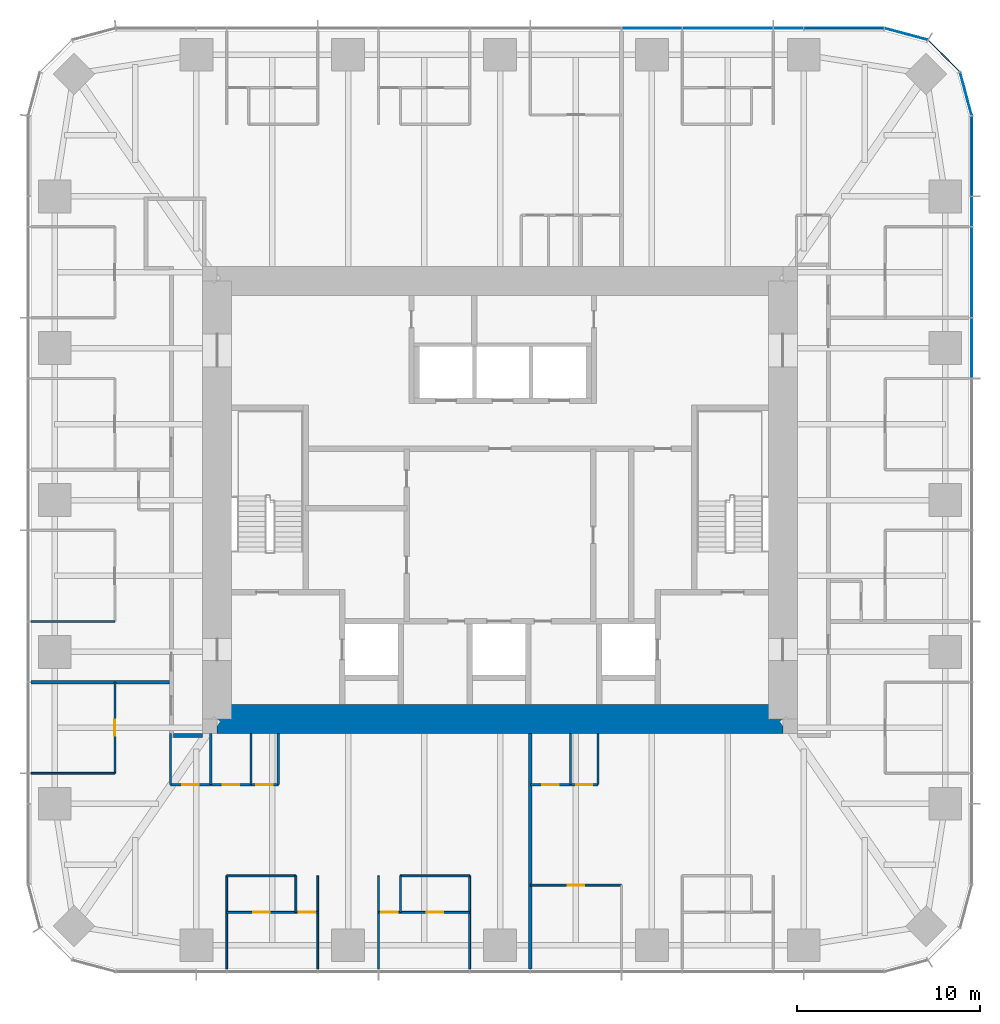
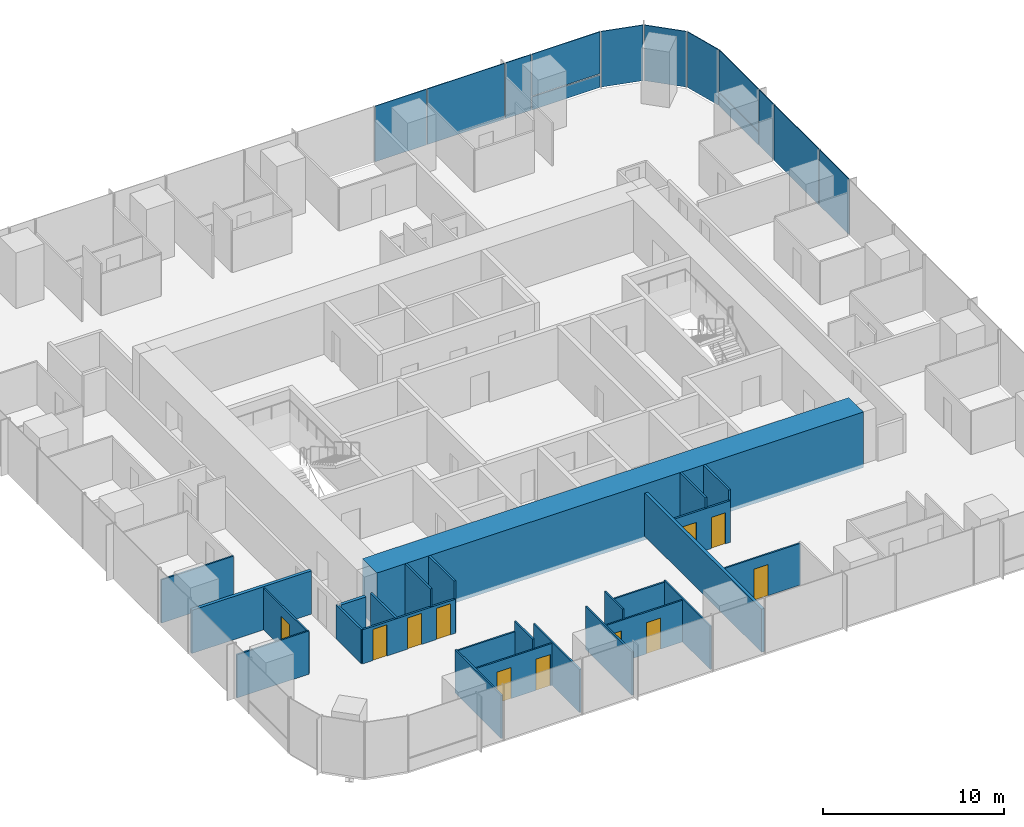
# One storey, part 8 of 13: 26 walls, 13 plates, 11 doors, 11 openings, 3 elements without a shape of their own.
"""IFC4 building model written with IfcOpenShell, lengths in metres."""

from ifc_helpers import new_model, si_unit, direction, frame, frame_2d, origin, origin_2d, place, context, subcontext, project, spatial, rectangle, extrude, material, layer, layer_set, type_object, element, fill, aggregate, save


model = new_model("IFC4")

# Units and contexts
model_context = context("Model", 3, precision=1e-05, world=origin(), true_north=direction((0.0, 1.0)))
body_context = subcontext(model_context, "Body", "Model", "MODEL_VIEW")
ifc_project = project(units=[si_unit("LENGTHUNIT", "METRE"), si_unit("AREAUNIT", "SQUARE_METRE"), si_unit("VOLUMEUNIT", "CUBIC_METRE"), si_unit("PLANEANGLEUNIT", "RADIAN"), si_unit("MASSUNIT", "GRAM", prefix="KILO")], contexts=[model_context])

# Site, building, storey
site_placement = place(None, origin())
site = spatial("IfcSite", under=ifc_project, at=site_placement, CompositionType="ELEMENT")
building_placement = place(site_placement, origin())
building = spatial("IfcBuilding", under=site, at=building_placement, Name="Khuree Lantern Residences", CompositionType="ELEMENT")
storey_placement = place(building_placement, frame((0.0, 0.0, 248.25)))
storey = spatial("IfcBuildingStorey", under=building, at=storey_placement, Name="L62", CompositionType="ELEMENT", Elevation=248.25)

# Curtain wall, plates
ifc_material_1 = material(Name="Bronze anodised aluminium", Category="aluminium")
curtain_wall_type_1 = type_object("IfcCurtainWallType", Name="CW-T2 TOWER CORNER CURTAIN WALL", PredefinedType="USERDEFINED", material=ifc_material_1)
curtain_wall_1_placement = place(storey_placement, origin())
curtain_wall_1 = element("IfcCurtainWall", 1, at=curtain_wall_1_placement, inside=storey, type_object=curtain_wall_type_1, Name="L62 NORTH-EAST CORNER CURTAIN WALL", ObjectType="Faceted corner curtain wall", PredefinedType="USERDEFINED")
ifc_material_2 = material(Name="Bronze tinted triple glazing", Category="glass")
ifc_layer_1 = layer(ifc_material_2, 0.048095703125)
ifc_layer_set_1 = layer_set([ifc_layer_1], Name="FACET PANEL P4")
plate_type_1 = type_object("IfcPlateType", Name="FACET PANEL P4", PredefinedType="CURTAIN_PANEL", material=ifc_layer_set_1)
plate_1_placement = place(storey_placement, frame((25.529052734375, 22.248046875, 0.0), z_axis=(0.0, 0.0, 1.0), x_axis=(-0.258819021888, 0.965925832509, 0.0)))
plate_1 = element("IfcPlate", 2, at=plate_1_placement, type_object=plate_type_1, Name="L62 NORTH-EAST CORNER PANEL 15.1", PredefinedType="CURTAIN_PANEL", context=body_context, shape_type="SweptSolid", body=[
    extrude(rectangle(XDim=2.40869140625, YDim=0.048095703125, at=origin_2d()), origin(), (0.0, 0.0, 1.0), 3.75),
])
plate_2_placement = place(storey_placement, frame((24.328369140625, 24.328369140625, 0.0), z_axis=(0.0, 0.0, 1.0), x_axis=(-0.707106781187, 0.707106781187, 0.0)))
plate_2 = element("IfcPlate", 3, at=plate_2_placement, type_object=plate_type_1, Name="L62 NORTH-EAST CORNER PANEL 16.1", PredefinedType="CURTAIN_PANEL", context=body_context, shape_type="SweptSolid", body=[
    extrude(rectangle(XDim=2.404541015625, YDim=0.048095703125, at=origin_2d()), origin(), (0.0, 0.0, 1.0), 3.75),
])
plate_3_placement = place(storey_placement, frame((22.248046875, 25.529052734375, 0.0), z_axis=(0.0, 0.0, 1.0), x_axis=(-0.965925832509, 0.258819021888, 0.0)))
plate_3 = element("IfcPlate", 4, at=plate_3_placement, type_object=plate_type_1, Name="L62 NORTH-EAST CORNER PANEL 17.1", PredefinedType="CURTAIN_PANEL", context=body_context, shape_type="SweptSolid", body=[
    extrude(rectangle(XDim=2.40869140625, YDim=0.048095703125, at=origin_2d()), origin(), (0.0, 0.0, 1.0), 3.75),
])
aggregate(curtain_wall_1, [plate_1, plate_2, plate_3])

# Curtain wall, plate
curtain_wall_type_2 = type_object("IfcCurtainWallType", Name="CW-T1 TOWER FACE CURTAIN WALL", PredefinedType="USERDEFINED", material=ifc_material_1)
curtain_wall_2_placement = place(storey_placement, origin())
curtain_wall_2 = element("IfcCurtainWall", 5, at=curtain_wall_2_placement, inside=storey, type_object=curtain_wall_type_2, Name="L62 EAST FACE CURTAIN WALL", ObjectType="Stick-built curtain wall", PredefinedType="USERDEFINED")
ifc_material_3 = material(Name="Bronze tinted triple glazing with a ceramic-fritted spandrel band", Category="glass")
ifc_layer_2 = layer(ifc_material_3, 0.048095703125)
ifc_layer_set_2 = layer_set([ifc_layer_2], Name="FIXED LIGHT PANEL P11")
plate_type_2 = type_object("IfcPlateType", Name="FIXED LIGHT PANEL P11", PredefinedType="CURTAIN_PANEL", material=ifc_layer_set_2)
plate_4_placement = place(storey_placement, frame((25.85009765625, 12.47998046875, 0.0), z_axis=(0.0, 0.0, 1.0), x_axis=(0.0, 1.0, 0.0)))
plate_4 = element("IfcPlate", 6, at=plate_4_placement, type_object=plate_type_2, Name="L62 EAST FACE PANEL 12.1", PredefinedType="CURTAIN_PANEL", context=body_context, shape_type="SweptSolid", body=[
    extrude(rectangle(XDim=4.927001953125, YDim=0.048095703125, at=origin_2d()), origin(), (0.0, 0.0, 1.0), 3.75),
])

curtain_wall_3_placement = place(storey_placement, origin())
curtain_wall_3 = element("IfcCurtainWall", 7, at=curtain_wall_3_placement, inside=storey, type_object=curtain_wall_type_2, Name="L62 NORTH FACE CURTAIN WALL", ObjectType="Stick-built curtain wall", PredefinedType="USERDEFINED")
plate_5_placement = place(storey_placement, frame((12.47998046875, 25.85009765625, 0.0), z_axis=(0.0, 0.0, 1.0), x_axis=(-1.0, 0.0, 0.0)))
plate_5 = element("IfcPlate", 8, at=plate_5_placement, type_object=plate_type_2, Name="L62 NORTH FACE PANEL 20.1", PredefinedType="CURTAIN_PANEL", context=body_context, shape_type="SweptSolid", body=[
    extrude(rectangle(XDim=4.927001953125, YDim=0.048095703125, at=origin_2d()), origin(), (0.0, 0.0, 1.0), 3.75),
])

# Plate
ifc_material_4 = material(Name="Bronze tinted triple glazing, two aluminium-framed sashes in one frame", Category="aluminium")
ifc_layer_3 = layer(ifc_material_4, 0.048095703125)
ifc_layer_set_3 = layer_set([ifc_layer_3], Name="SASH PAIR PANEL P12")
plate_type_3 = type_object("IfcPlateType", Name="SASH PAIR PANEL P12", PredefinedType="CURTAIN_PANEL", material=ifc_layer_set_3)
plate_6_placement = place(storey_placement, frame((25.85009765625, 8.320068359375, 0.0), z_axis=(0.0, 0.0, 1.0), x_axis=(0.0, 1.0, 0.0)))
plate_6 = element("IfcPlate", 9, at=plate_6_placement, type_object=plate_type_3, Name="L62 EAST FACE PANEL 11.1", PredefinedType="CURTAIN_PANEL", context=body_context, shape_type="SweptSolid", body=[
    extrude(rectangle(XDim=3.262939453125, YDim=0.048095703125, at=origin_2d()), origin(), (0.0, 0.0, 1.0), 3.75),
])

plate_7_placement = place(storey_placement, frame((8.320068359375, 25.85009765625, 0.0), z_axis=(0.0, 0.0, 1.0), x_axis=(-1.0, 0.0, 0.0)))
plate_7 = element("IfcPlate", 10, at=plate_7_placement, type_object=plate_type_3, Name="L62 NORTH FACE PANEL 21.1", PredefinedType="CURTAIN_PANEL", context=body_context, shape_type="SweptSolid", body=[
    extrude(rectangle(XDim=3.262939453125, YDim=0.048095703125, at=origin_2d()), origin(), (0.0, 0.0, 1.0), 3.75),
])

ifc_material_5 = material(Name="Bronze tinted triple glazing, aluminium-framed sash", Category="aluminium")
ifc_layer_4 = layer(ifc_material_5, 0.048095703125)
ifc_layer_set_4 = layer_set([ifc_layer_4], Name="SASH PANEL P3")
plate_type_4 = type_object("IfcPlateType", Name="SASH PANEL P3", PredefinedType="CURTAIN_PANEL", material=ifc_layer_set_4)
plate_8_placement = place(storey_placement, frame((25.85009765625, 15.80810546875, 0.0), z_axis=(0.0, 0.0, 1.0), x_axis=(0.0, 1.0, 0.0)))
plate_8 = element("IfcPlate", 11, at=plate_8_placement, type_object=plate_type_4, Name="L62 EAST FACE PANEL 13.1", PredefinedType="CURTAIN_PANEL", context=body_context, shape_type="SweptSolid", body=[
    extrude(rectangle(XDim=1.59912109375, YDim=0.048095703125, at=origin_2d()), origin(), (0.0, 0.0, 1.0), 3.75),
])

plate_9_placement = place(storey_placement, frame((15.80810546875, 25.85009765625, 0.0), z_axis=(0.0, 0.0, 1.0), x_axis=(-1.0, 0.0, 0.0)))
plate_9 = element("IfcPlate", 12, at=plate_9_placement, type_object=plate_type_4, Name="L62 NORTH FACE PANEL 19.1", PredefinedType="CURTAIN_PANEL", context=body_context, shape_type="SweptSolid", body=[
    extrude(rectangle(XDim=1.59912109375, YDim=0.048095703125, at=origin_2d()), origin(), (0.0, 0.0, 1.0), 3.75),
])

ifc_material_6 = material(Name="Bronze anodised aluminium insulated spandrel", Category="aluminium")
ifc_layer_5 = layer(ifc_material_6, 0.06005859375)
ifc_layer_set_5 = layer_set([ifc_layer_5], Name="SPANDREL PANEL P2")
plate_type_5 = type_object("IfcPlateType", Name="SPANDREL PANEL P2", PredefinedType="CURTAIN_PANEL", material=ifc_layer_set_5)
plate_10_placement = place(storey_placement, frame((25.85009765625, 18.8427734375, 0.0), z_axis=(0.0, 0.0, 1.0), x_axis=(0.0, 1.0, 0.0)))
plate_10 = element("IfcPlate", 13, at=plate_10_placement, type_object=plate_type_5, Name="L62 EAST FACE PANEL 14.1", PredefinedType="CURTAIN_PANEL", context=body_context, shape_type="SweptSolid", body=[
    extrude(rectangle(XDim=4.3408203125, YDim=0.06005859375, at=origin_2d()), origin(), (0.0, 0.0, 1.0), 0.867431640625),
])

plate_11_placement = place(storey_placement, frame((18.8427734375, 25.85009765625, 0.0), z_axis=(0.0, 0.0, 1.0), x_axis=(-1.0, 0.0, 0.0)))
plate_11 = element("IfcPlate", 14, at=plate_11_placement, type_object=plate_type_5, Name="L62 NORTH FACE PANEL 18.1", PredefinedType="CURTAIN_PANEL", context=body_context, shape_type="SweptSolid", body=[
    extrude(rectangle(XDim=4.3408203125, YDim=0.06005859375, at=origin_2d()), origin(), (0.0, 0.0, 1.0), 0.867431640625),
])

ifc_layer_6 = layer(ifc_material_2, 0.048095703125)
ifc_layer_set_6 = layer_set([ifc_layer_6], Name="VISION PANEL P1")
plate_type_6 = type_object("IfcPlateType", Name="VISION PANEL P1", PredefinedType="CURTAIN_PANEL", material=ifc_layer_set_6)
plate_12_placement = place(storey_placement, frame((25.85009765625, 18.84326171875, 0.9326171875), z_axis=(0.0, 0.0, 1.0), x_axis=(0.0, 1.0, 0.0)))
plate_12 = element("IfcPlate", 15, at=plate_12_placement, type_object=plate_type_6, Name="L62 EAST FACE PANEL 14.2", PredefinedType="CURTAIN_PANEL", context=body_context, shape_type="SweptSolid", body=[
    extrude(rectangle(XDim=4.341552734375, YDim=0.048095703125, at=origin_2d()), origin(), (0.0, 0.0, 1.0), 2.8173828125),
])

aggregate(curtain_wall_2, [plate_6, plate_4, plate_8, plate_10, plate_12])

plate_13_placement = place(storey_placement, frame((18.84326171875, 25.85009765625, 0.9326171875), z_axis=(0.0, 0.0, 1.0), x_axis=(-1.0, 0.0, 0.0)))
plate_13 = element("IfcPlate", 16, at=plate_13_placement, type_object=plate_type_6, Name="L62 NORTH FACE PANEL 18.2", PredefinedType="CURTAIN_PANEL", context=body_context, shape_type="SweptSolid", body=[
    extrude(rectangle(XDim=4.341552734375, YDim=0.048095703125, at=origin_2d()), origin(), (0.0, 0.0, 1.0), 2.8173828125),
])

aggregate(curtain_wall_3, [plate_11, plate_13, plate_9, plate_5, plate_7])

# Wall, openings, doors
ifc_material_7 = material(Name="Moisture-resistant gypsum board on steel studs", Category="steel")
ifc_layer_7 = layer(ifc_material_7, 0.125)
ifc_layer_set_7 = layer_set([ifc_layer_7], Name="BATHROOM WALL BTW125")
wall_type_1 = type_object("IfcWallType", Name="BATHROOM WALL BTW125", PredefinedType="PARTITIONING", material=ifc_layer_set_7)
wall_1_placement = place(storey_placement, frame((-18.050048828125, -15.60009765625, 0.0), z_axis=(0.0, 0.0, 1.0), x_axis=(1.0, 0.0, 0.0)))
wall_1 = element("IfcWall", 17, at=wall_1_placement, inside=storey, type_object=wall_type_1, Name="L62 BATHROOM WALL 05", PredefinedType="PARTITIONING", context=body_context, shape_type="SweptSolid", body=[
    extrude(rectangle(XDim=5.900146484375, YDim=0.125, at=frame_2d((2.9501953125, 0.0))), origin(), (0.0, 0.0, 1.0), 2.300048828125),
])
opening_1_placement = place(wall_1_placement, frame((0.64990234375, 0.0, 0.0)))
opening_1 = element("IfcOpeningElement", 18, at=opening_1_placement, cuts=wall_1, Name="Opening 62-050", PredefinedType="OPENING", context=body_context, shape_type="SweptSolid", body=[
    extrude(rectangle(XDim=0.89990234375, YDim=2.10009765625, at=frame_2d((0.449951171875, 1.050048828125))), frame((0.0, 0.072509765625, 0.0), z_axis=(0.0, -1.0, 0.0), x_axis=(1.0, 0.0, 0.0)), (0.0, 0.0, 1.0), 0.14501953125),
])
opening_2_placement = place(wall_1_placement, frame((2.85009765625, 0.0, 0.0)))
opening_2 = element("IfcOpeningElement", 19, at=opening_2_placement, cuts=wall_1, Name="Opening 62-051", PredefinedType="OPENING", context=body_context, shape_type="SweptSolid", body=[
    extrude(rectangle(XDim=0.89990234375, YDim=2.10009765625, at=frame_2d((0.449951171875, 1.050048828125))), frame((0.0, 0.072509765625, 0.0), z_axis=(0.0, -1.0, 0.0), x_axis=(1.0, 0.0, 0.0)), (0.0, 0.0, 1.0), 0.14501953125),
])
opening_3_placement = place(wall_1_placement, frame((4.699951171875, 0.0, 0.0)))
opening_3 = element("IfcOpeningElement", 20, at=opening_3_placement, cuts=wall_1, Name="Opening 62-052", PredefinedType="OPENING", context=body_context, shape_type="SweptSolid", body=[
    extrude(rectangle(XDim=0.89990234375, YDim=2.10009765625, at=frame_2d((0.449951171875, 1.050048828125))), frame((0.0, 0.072509765625, 0.0), z_axis=(0.0, -1.0, 0.0), x_axis=(1.0, 0.0, 0.0)), (0.0, 0.0, 1.0), 0.14501953125),
])
ifc_material_8 = material(Name="Timber door leaf in hardwood frame", Category="wood")
door_type_1 = type_object("IfcDoorType", Name="BATHROOM DOOR 900X2100", OperationType="SINGLE_SWING_LEFT", PredefinedType="DOOR", material=ifc_material_8)
door_1_placement = place(opening_1_placement, origin())
door_1 = element("IfcDoor", 21, at=door_1_placement, inside=storey, type_object=door_type_1, Name="Bathroom door 62-050", OperationType="SINGLE_SWING_LEFT", OverallHeight=2.10009765625, OverallWidth=0.89990234375, PredefinedType="DOOR", context=body_context, shape_type="SweptSolid", body=[
    extrude(rectangle(XDim=0.89990234375, YDim=2.10009765625, at=frame_2d((0.449951171875, 1.050048828125))), frame((0.0, 0.02490234375, 0.0), z_axis=(0.0, -1.0, 0.0), x_axis=(1.0, 0.0, 0.0)), (0.0, 0.0, 1.0), 0.050048828125),
])
fill(opening_1, door_1)
door_2_placement = place(opening_2_placement, origin())
door_2 = element("IfcDoor", 22, at=door_2_placement, inside=storey, type_object=door_type_1, Name="Bathroom door 62-051", OperationType="SINGLE_SWING_LEFT", OverallHeight=2.10009765625, OverallWidth=0.89990234375, PredefinedType="DOOR", context=body_context, shape_type="SweptSolid", body=[
    extrude(rectangle(XDim=0.89990234375, YDim=2.10009765625, at=frame_2d((0.449951171875, 1.050048828125))), frame((0.0, 0.02490234375, 0.0), z_axis=(0.0, -1.0, 0.0), x_axis=(1.0, 0.0, 0.0)), (0.0, 0.0, 1.0), 0.050048828125),
])
fill(opening_2, door_2)
door_type_2 = type_object("IfcDoorType", Name="WC DOOR 900X2100", OperationType="SINGLE_SWING_LEFT", PredefinedType="DOOR", material=ifc_material_8)
door_3_placement = place(opening_3_placement, origin())
door_3 = element("IfcDoor", 23, at=door_3_placement, inside=storey, type_object=door_type_2, Name="WC door 62-052", OperationType="SINGLE_SWING_LEFT", OverallHeight=2.10009765625, OverallWidth=0.89990234375, PredefinedType="DOOR", context=body_context, shape_type="SweptSolid", body=[
    extrude(rectangle(XDim=0.89990234375, YDim=2.10009765625, at=frame_2d((0.449951171875, 1.050048828125))), frame((0.0, 0.02490234375, 0.0), z_axis=(0.0, -1.0, 0.0), x_axis=(1.0, 0.0, 0.0)), (0.0, 0.0, 1.0), 0.050048828125),
])
fill(opening_3, door_3)

# Walls
for number, where, z_axis, x_axis, name in (
    (24, (-18.050048828125, -12.800048828125, 0.0), (0.0, 0.0, 1.0), (0.0, -1.0, 0.0), "L62 BATHROOM WALL 05"),
    (25, (-15.85009765625, -12.800048828125, 0.0), (0.0, 0.0, 1.0), (0.0, -1.0, 0.0), "L62 BATHROOM WALL 05"),
):
    element("IfcWall", number, at=place(storey_placement, frame(where, z_axis=z_axis, x_axis=x_axis)), inside=storey, type_object=wall_type_1, Name=name, PredefinedType="PARTITIONING", context=body_context, shape_type="SweptSolid", body=[
        extrude(rectangle(XDim=2.800048828125, YDim=0.125, at=frame_2d((1.39990234375, 0.0))), origin(), (0.0, 0.0, 1.0), 2.300048828125),
    ])
for number, where, z_axis, x_axis, name in (
    (26, (-13.64990234375, -12.800048828125, 0.0), (0.0, 0.0, 1.0), (0.0, -1.0, 0.0), "L62 BATHROOM WALL 05"),
    (27, (-12.14990234375, -12.800048828125, 0.0), (0.0, 0.0, 1.0), (0.0, -1.0, 0.0), "L62 BATHROOM WALL 05"),
):
    element("IfcWall", number, at=place(storey_placement, frame(where, z_axis=z_axis, x_axis=x_axis)), inside=storey, type_object=wall_type_1, Name=name, PredefinedType="PARTITIONING", context=body_context, shape_type="SweptSolid", body=[
        extrude(rectangle(XDim=2.800048828125, YDim=0.125, at=frame_2d((1.39990234375, 0.0))), origin(), (0.0, 0.0, 1.0), 3.5),
    ])

# Wall, openings, doors
wall_2_placement = place(storey_placement, frame((1.6640625, -15.60009765625, 0.0), z_axis=(0.0, 0.0, 1.0), x_axis=(1.0, 0.0, 0.0)))
wall_2 = element("IfcWall", 28, at=wall_2_placement, inside=storey, type_object=wall_type_1, Name="L62 BATHROOM WALL 06", PredefinedType="PARTITIONING", context=body_context, shape_type="SweptSolid", body=[
    extrude(rectangle(XDim=3.699951171875, YDim=0.125, at=frame_2d((1.85009765625, 0.0))), origin(), (0.0, 0.0, 1.0), 2.81005859375),
])
opening_4_placement = place(wall_2_placement, frame((0.64990234375, 0.0, 0.0)))
opening_4 = element("IfcOpeningElement", 29, at=opening_4_placement, cuts=wall_2, Name="Opening 62-058", PredefinedType="OPENING", context=body_context, shape_type="SweptSolid", body=[
    extrude(rectangle(XDim=0.89990234375, YDim=2.10009765625, at=frame_2d((0.449951171875, 1.050048828125))), frame((0.0, 0.072509765625, 0.0), z_axis=(0.0, -1.0, 0.0), x_axis=(1.0, 0.0, 0.0)), (0.0, 0.0, 1.0), 0.14501953125),
])
opening_5_placement = place(wall_2_placement, frame((2.5, 0.0, 0.0)))
opening_5 = element("IfcOpeningElement", 30, at=opening_5_placement, cuts=wall_2, Name="Opening 62-059", PredefinedType="OPENING", context=body_context, shape_type="SweptSolid", body=[
    extrude(rectangle(XDim=0.89990234375, YDim=2.10009765625, at=frame_2d((0.449951171875, 1.050048828125))), frame((0.0, 0.072509765625, 0.0), z_axis=(0.0, -1.0, 0.0), x_axis=(1.0, 0.0, 0.0)), (0.0, 0.0, 1.0), 0.14501953125),
])
door_4_placement = place(opening_4_placement, origin())
door_4 = element("IfcDoor", 31, at=door_4_placement, inside=storey, type_object=door_type_1, Name="Bathroom door 62-058", OperationType="SINGLE_SWING_LEFT", OverallHeight=2.10009765625, OverallWidth=0.89990234375, PredefinedType="DOOR", context=body_context, shape_type="SweptSolid", body=[
    extrude(rectangle(XDim=0.89990234375, YDim=2.10009765625, at=frame_2d((0.449951171875, 1.050048828125))), frame((0.0, 0.02490234375, 0.0), z_axis=(0.0, -1.0, 0.0), x_axis=(1.0, 0.0, 0.0)), (0.0, 0.0, 1.0), 0.050048828125),
])
fill(opening_4, door_4)
door_5_placement = place(opening_5_placement, origin())
door_5 = element("IfcDoor", 32, at=door_5_placement, inside=storey, type_object=door_type_2, Name="WC door 62-059", OperationType="SINGLE_SWING_LEFT", OverallHeight=2.10009765625, OverallWidth=0.89990234375, PredefinedType="DOOR", context=body_context, shape_type="SweptSolid", body=[
    extrude(rectangle(XDim=0.89990234375, YDim=2.10009765625, at=frame_2d((0.449951171875, 1.050048828125))), frame((0.0, 0.02490234375, 0.0), z_axis=(0.0, -1.0, 0.0), x_axis=(1.0, 0.0, 0.0)), (0.0, 0.0, 1.0), 0.050048828125),
])
fill(opening_5, door_5)

# Walls
for number, where, z_axis, x_axis, name in (
    (33, (3.864013671875, -12.800048828125, 0.0), (0.0, 0.0, 1.0), (0.0, -1.0, 0.0), "L62 BATHROOM WALL 06"),
    (34, (5.364013671875, -12.800048828125, 0.0), (0.0, 0.0, 1.0), (0.0, -1.0, 0.0), "L62 BATHROOM WALL 06"),
):
    element("IfcWall", number, at=place(storey_placement, frame(where, z_axis=z_axis, x_axis=x_axis)), inside=storey, type_object=wall_type_1, Name=name, PredefinedType="PARTITIONING", context=body_context, shape_type="SweptSolid", body=[
        extrude(rectangle(XDim=2.800048828125, YDim=0.125, at=frame_2d((1.39990234375, 0.0))), origin(), (0.0, 0.0, 1.0), 3.5),
    ])
ifc_material_9 = material(Name="Gypsum board on steel studs", Category="steel")
ifc_layer_8 = layer(ifc_material_9, 0.199951171875)
ifc_layer_set_8 = layer_set([ifc_layer_8], Name="CORRIDOR WALL CRW200 EI 60")
wall_type_2 = type_object("IfcWallType", Name="CORRIDOR WALL CRW200 EI 60", PredefinedType="PARTITIONING", material=ifc_layer_set_8)
wall_3_placement = place(storey_placement, frame((-16.300048828125, -12.89990234375, 0.0), z_axis=(0.0, 0.0, 1.0), x_axis=(-1.0, 0.0, 0.0)))
element("IfcWall", 35, at=wall_3_placement, inside=storey, type_object=wall_type_2, Name="L62 WEST CORRIDOR SOUTH END WALL", PredefinedType="PARTITIONING", context=body_context, shape_type="SweptSolid", body=[
    extrude(rectangle(XDim=1.599853515625, YDim=0.199951171875, at=frame_2d((0.7998046875, 0.0))), origin(), (0.0, 0.0, 1.0), 2.300048828125),
])
ifc_material_10 = material(Name="Concrete C50/60", Category="concrete")
ifc_layer_9 = layer(ifc_material_10, 1.60009765625)
ifc_layer_set_9 = layer_set([ifc_layer_9], Name="CW1600-C50 CORE WALL C50 1600")
wall_type_3 = type_object("IfcWallType", Name="CW1600-C50 CORE WALL C50 1600", PredefinedType="SHEAR", material=ifc_layer_set_9)
wall_4_placement = place(storey_placement, frame((-15.5, -12.0, -0.25), z_axis=(0.0, 0.0, 1.0), x_axis=(1.0, 0.0, 0.0)))
element("IfcWall", 36, at=wall_4_placement, inside=storey, type_object=wall_type_3, Name="Core wall S", PredefinedType="SHEAR", context=body_context, shape_type="SweptSolid", body=[
    extrude(rectangle(XDim=31.0, YDim=1.60009765625, at=frame_2d((15.5, 0.0))), origin(), (0.0, 0.0, 1.0), 3.75),
])
ifc_layer_10 = layer(ifc_material_9, 0.199951171875)
ifc_layer_set_10 = layer_set([ifc_layer_10], Name="DEMISING WALL DMW200 EI 90")
wall_type_4 = type_object("IfcWallType", Name="DEMISING WALL DMW200 EI 90", PredefinedType="PARTITIONING", material=ifc_layer_set_10)
wall_5_placement = place(storey_placement, frame((-18.10009765625, -9.98388671875, 0.0), z_axis=(0.0, 0.0, 1.0), x_axis=(-1.0, 0.0, 0.0)))
element("IfcWall", 37, at=wall_5_placement, inside=storey, type_object=wall_type_4, Name="L62 DEMISING WALL 05", PredefinedType="PARTITIONING", context=body_context, shape_type="SweptSolid", body=[
    extrude(rectangle(XDim=7.599853515625, YDim=0.199951171875, at=frame_2d((3.7998046875, 0.0))), origin(), (0.0, 0.0, 1.0), 2.909912109375),
])
wall_6_placement = place(storey_placement, frame((1.6640625, -12.800048828125, 0.0), z_axis=(0.0, 0.0, 1.0), x_axis=(0.0, -1.0, 0.0)))
element("IfcWall", 38, at=wall_6_placement, inside=storey, type_object=wall_type_4, Name="L62 DEMISING WALL 06", PredefinedType="PARTITIONING", context=body_context, shape_type="SweptSolid", body=[
    extrude(rectangle(XDim=12.89990234375, YDim=0.199951171875, at=frame_2d((6.449951171875, 0.0))), origin(), (0.0, 0.0, 1.0), 2.909912109375),
])
ifc_layer_11 = layer(ifc_material_9, 0.10009765625)
ifc_layer_set_11 = layer_set([ifc_layer_11], Name="PARTITION PT100")
wall_type_5 = type_object("IfcWallType", Name="PARTITION PT100", PredefinedType="PARTITIONING", material=ifc_layer_set_11)
for number, where, z_axis, x_axis, name in (
    (39, (-21.10009765625, -6.656005859375, 0.0), (0.0, 0.0, 1.0), (-1.0, 0.0, 0.0), "L62 PARTITION 04"),
    (40, (-21.10009765625, -14.97607421875, 0.0), (0.0, 0.0, 1.0), (-1.0, 0.0, 0.0), "L62 PARTITION 05"),
):
    element("IfcWall", number, at=place(storey_placement, frame(where, z_axis=z_axis, x_axis=x_axis)), inside=storey, type_object=wall_type_5, Name=name, PredefinedType="PARTITIONING", context=body_context, shape_type="SweptSolid", body=[
        extrude(rectangle(XDim=4.599853515625, YDim=0.10009765625, at=frame_2d((2.2998046875, 0.0))), origin(), (0.0, 0.0, 1.0), 2.909912109375),
    ])
for number, where, z_axis, x_axis, name in (
    (41, (-14.97607421875, -20.594970703125, 0.0), (0.0, 0.0, 1.0), (0.0, -1.0, 0.0), "L62 PARTITION 05"),
    (42, (-9.98388671875, -20.594970703125, 0.0), (0.0, 0.0, 1.0), (0.0, -1.0, 0.0), "L62 PARTITION 05"),
    (43, (-6.656005859375, -20.594970703125, 0.0), (0.0, 0.0, 1.0), (0.0, -1.0, 0.0), "L62 PARTITION 05"),
    (44, (-1.6640625, -20.594970703125, 0.0), (0.0, 0.0, 1.0), (0.0, -1.0, 0.0), "L62 PARTITION 05"),
):
    element("IfcWall", number, at=place(storey_placement, frame(where, z_axis=z_axis, x_axis=x_axis)), inside=storey, type_object=wall_type_5, Name=name, PredefinedType="PARTITIONING", context=body_context, shape_type="SweptSolid", body=[
        extrude(rectangle(XDim=5.10498046875, YDim=0.10009765625, at=frame_2d((2.552490234375, 0.0))), origin(), (0.0, 0.0, 1.0), 2.909912109375),
    ])

# Wall, opening, door
wall_7_placement = place(storey_placement, frame((-21.10009765625, -9.98388671875, 0.0), z_axis=(0.0, 0.0, 1.0), x_axis=(0.0, -1.0, 0.0)))
wall_7 = element("IfcWall", 45, at=wall_7_placement, inside=storey, type_object=wall_type_5, Name="L62 PARTITION 05", PredefinedType="PARTITIONING", context=body_context, shape_type="SweptSolid", body=[
    extrude(rectangle(XDim=4.9921875, YDim=0.10009765625, at=frame_2d((2.49609375, 0.0))), origin(), (0.0, 0.0, 1.0), 2.81005859375),
])
opening_6_placement = place(wall_7_placement, frame((2.0458984375, 0.0, 0.0)))
opening_6 = element("IfcOpeningElement", 46, at=opening_6_placement, cuts=wall_7, Name="Opening 62-045", PredefinedType="OPENING", context=body_context, shape_type="SweptSolid", body=[
    extrude(rectangle(XDim=0.89990234375, YDim=2.10009765625, at=frame_2d((0.449951171875, 1.050048828125))), frame((0.0, 0.06005859375, 0.0), z_axis=(0.0, -1.0, 0.0), x_axis=(1.0, 0.0, 0.0)), (0.0, 0.0, 1.0), 0.1201171875),
])
door_type_3 = type_object("IfcDoorType", Name="BEDROOM DOOR 900X2100", OperationType="SINGLE_SWING_LEFT", PredefinedType="DOOR", material=ifc_material_8)
door_6_placement = place(opening_6_placement, origin())
door_6 = element("IfcDoor", 47, at=door_6_placement, inside=storey, type_object=door_type_3, Name="Bedroom door 62-045", OperationType="SINGLE_SWING_LEFT", OverallHeight=2.10009765625, OverallWidth=0.89990234375, PredefinedType="DOOR", context=body_context, shape_type="SweptSolid", body=[
    extrude(rectangle(XDim=0.89990234375, YDim=2.10009765625, at=frame_2d((0.449951171875, 1.050048828125))), frame((0.0, 0.02490234375, 0.0), z_axis=(0.0, -1.0, 0.0), x_axis=(1.0, 0.0, 0.0)), (0.0, 0.0, 1.0), 0.050048828125),
])
fill(opening_6, door_6)

# Wall, openings, doors
wall_8_placement = place(storey_placement, frame((-14.97607421875, -22.594970703125, 0.0), z_axis=(0.0, 0.0, 1.0), x_axis=(1.0, 0.0, 0.0)))
wall_8 = element("IfcWall", 48, at=wall_8_placement, inside=storey, type_object=wall_type_5, Name="L62 PARTITION 05", PredefinedType="PARTITIONING", context=body_context, shape_type="SweptSolid", body=[
    extrude(rectangle(XDim=4.9921875, YDim=0.10009765625, at=frame_2d((2.49609375, 0.0))), origin(), (0.0, 0.0, 1.0), 2.81005859375),
])
opening_7_placement = place(wall_8_placement, frame((3.94189453125, 0.0, 0.0)))
opening_7 = element("IfcOpeningElement", 49, at=opening_7_placement, cuts=wall_8, Name="Opening 62-046", PredefinedType="OPENING", context=body_context, shape_type="SweptSolid", body=[
    extrude(rectangle(XDim=0.89990234375, YDim=2.10009765625, at=frame_2d((0.449951171875, 1.050048828125))), frame((0.0, 0.06005859375, 0.0), z_axis=(0.0, -1.0, 0.0), x_axis=(1.0, 0.0, 0.0)), (0.0, 0.0, 1.0), 0.1201171875),
])
opening_8_placement = place(wall_8_placement, frame((1.446044921875, 0.0, 0.0)))
opening_8 = element("IfcOpeningElement", 50, at=opening_8_placement, cuts=wall_8, Name="Opening 62-047", PredefinedType="OPENING", context=body_context, shape_type="SweptSolid", body=[
    extrude(rectangle(XDim=0.89990234375, YDim=2.10009765625, at=frame_2d((0.449951171875, 1.050048828125))), frame((0.0, 0.06005859375, 0.0), z_axis=(0.0, -1.0, 0.0), x_axis=(1.0, 0.0, 0.0)), (0.0, 0.0, 1.0), 0.1201171875),
])
door_7_placement = place(opening_7_placement, origin())
door_7 = element("IfcDoor", 51, at=door_7_placement, inside=storey, type_object=door_type_3, Name="Bedroom door 62-046", OperationType="SINGLE_SWING_LEFT", OverallHeight=2.10009765625, OverallWidth=0.89990234375, PredefinedType="DOOR", context=body_context, shape_type="SweptSolid", body=[
    extrude(rectangle(XDim=0.89990234375, YDim=2.10009765625, at=frame_2d((0.449951171875, 1.050048828125))), frame((0.0, 0.02490234375, 0.0), z_axis=(0.0, -1.0, 0.0), x_axis=(1.0, 0.0, 0.0)), (0.0, 0.0, 1.0), 0.050048828125),
])
fill(opening_7, door_7)
door_type_4 = type_object("IfcDoorType", Name="DOOR 900X2100", OperationType="SINGLE_SWING_LEFT", PredefinedType="DOOR", material=ifc_material_8)
door_8_placement = place(opening_8_placement, origin())
door_8 = element("IfcDoor", 52, at=door_8_placement, inside=storey, type_object=door_type_4, Name="Wardrobe door 62-047", OperationType="SINGLE_SWING_LEFT", OverallHeight=2.10009765625, OverallWidth=0.89990234375, PredefinedType="DOOR", context=body_context, shape_type="SweptSolid", body=[
    extrude(rectangle(XDim=0.89990234375, YDim=2.10009765625, at=frame_2d((0.449951171875, 1.050048828125))), frame((0.0, 0.02490234375, 0.0), z_axis=(0.0, -1.0, 0.0), x_axis=(1.0, 0.0, 0.0)), (0.0, 0.0, 1.0), 0.050048828125),
])
fill(opening_8, door_8)

# Walls
wall_9_placement = place(storey_placement, frame((-11.18408203125, -20.594970703125, 0.0), z_axis=(0.0, 0.0, 1.0), x_axis=(0.0, -1.0, 0.0)))
element("IfcWall", 53, at=wall_9_placement, inside=storey, type_object=wall_type_5, Name="L62 PARTITION 05", PredefinedType="PARTITIONING", context=body_context, shape_type="SweptSolid", body=[
    extrude(rectangle(XDim=2.0, YDim=0.10009765625, at=frame_2d((1.0, 0.0))), origin(), (0.0, 0.0, 1.0), 3.5),
])
wall_10_placement = place(storey_placement, frame((-14.97607421875, -20.594970703125, 0.0), z_axis=(0.0, 0.0, 1.0), x_axis=(1.0, 0.0, 0.0)))
element("IfcWall", 54, at=wall_10_placement, inside=storey, type_object=wall_type_5, Name="L62 PARTITION 05", PredefinedType="PARTITIONING", context=body_context, shape_type="SweptSolid", body=[
    extrude(rectangle(XDim=3.7919921875, YDim=0.10009765625, at=frame_2d((1.89599609375, 0.0))), origin(), (0.0, 0.0, 1.0), 2.81005859375),
])

# Wall, openings, doors
wall_11_placement = place(storey_placement, frame((-6.656005859375, -22.594970703125, 0.0), z_axis=(0.0, 0.0, 1.0), x_axis=(1.0, 0.0, 0.0)))
wall_11 = element("IfcWall", 55, at=wall_11_placement, inside=storey, type_object=wall_type_5, Name="L62 PARTITION 05", PredefinedType="PARTITIONING", context=body_context, shape_type="SweptSolid", body=[
    extrude(rectangle(XDim=4.991943359375, YDim=0.10009765625, at=frame_2d((2.49609375, 0.0))), origin(), (0.0, 0.0, 1.0), 2.81005859375),
])
opening_9_placement = place(wall_11_placement, frame((0.14990234375, 0.0, 0.0)))
opening_9 = element("IfcOpeningElement", 56, at=opening_9_placement, cuts=wall_11, Name="Opening 62-048", PredefinedType="OPENING", context=body_context, shape_type="SweptSolid", body=[
    extrude(rectangle(XDim=0.89990234375, YDim=2.10009765625, at=frame_2d((0.449951171875, 1.050048828125))), frame((0.0, 0.06005859375, 0.0), z_axis=(0.0, -1.0, 0.0), x_axis=(1.0, 0.0, 0.0)), (0.0, 0.0, 1.0), 0.1201171875),
])
opening_10_placement = place(wall_11_placement, frame((2.64599609375, 0.0, 0.0)))
opening_10 = element("IfcOpeningElement", 57, at=opening_10_placement, cuts=wall_11, Name="Opening 62-049", PredefinedType="OPENING", context=body_context, shape_type="SweptSolid", body=[
    extrude(rectangle(XDim=0.89990234375, YDim=2.10009765625, at=frame_2d((0.449951171875, 1.050048828125))), frame((0.0, 0.06005859375, 0.0), z_axis=(0.0, -1.0, 0.0), x_axis=(1.0, 0.0, 0.0)), (0.0, 0.0, 1.0), 0.1201171875),
])
door_9_placement = place(opening_9_placement, origin())
door_9 = element("IfcDoor", 58, at=door_9_placement, inside=storey, type_object=door_type_3, Name="Bedroom door 62-048", OperationType="SINGLE_SWING_LEFT", OverallHeight=2.10009765625, OverallWidth=0.89990234375, PredefinedType="DOOR", context=body_context, shape_type="SweptSolid", body=[
    extrude(rectangle(XDim=0.89990234375, YDim=2.10009765625, at=frame_2d((0.449951171875, 1.050048828125))), frame((0.0, 0.02490234375, 0.0), z_axis=(0.0, -1.0, 0.0), x_axis=(1.0, 0.0, 0.0)), (0.0, 0.0, 1.0), 0.050048828125),
])
fill(opening_9, door_9)
door_10_placement = place(opening_10_placement, origin())
door_10 = element("IfcDoor", 59, at=door_10_placement, inside=storey, type_object=door_type_4, Name="Wardrobe door 62-049", OperationType="SINGLE_SWING_LEFT", OverallHeight=2.10009765625, OverallWidth=0.89990234375, PredefinedType="DOOR", context=body_context, shape_type="SweptSolid", body=[
    extrude(rectangle(XDim=0.89990234375, YDim=2.10009765625, at=frame_2d((0.449951171875, 1.050048828125))), frame((0.0, 0.02490234375, 0.0), z_axis=(0.0, -1.0, 0.0), x_axis=(1.0, 0.0, 0.0)), (0.0, 0.0, 1.0), 0.050048828125),
])
fill(opening_10, door_10)

# Walls
wall_12_placement = place(storey_placement, frame((-5.4560546875, -20.594970703125, 0.0), z_axis=(0.0, 0.0, 1.0), x_axis=(0.0, -1.0, 0.0)))
element("IfcWall", 60, at=wall_12_placement, inside=storey, type_object=wall_type_5, Name="L62 PARTITION 05", PredefinedType="PARTITIONING", context=body_context, shape_type="SweptSolid", body=[
    extrude(rectangle(XDim=2.0, YDim=0.10009765625, at=frame_2d((1.0, 0.0))), origin(), (0.0, 0.0, 1.0), 3.5),
])
wall_13_placement = place(storey_placement, frame((-5.4560546875, -20.594970703125, 0.0), z_axis=(0.0, 0.0, 1.0), x_axis=(1.0, 0.0, 0.0)))
element("IfcWall", 61, at=wall_13_placement, inside=storey, type_object=wall_type_5, Name="L62 PARTITION 05", PredefinedType="PARTITIONING", context=body_context, shape_type="SweptSolid", body=[
    extrude(rectangle(XDim=3.7919921875, YDim=0.10009765625, at=frame_2d((1.89599609375, 0.0))), origin(), (0.0, 0.0, 1.0), 2.81005859375),
])

# Wall, opening, door
wall_14_placement = place(storey_placement, frame((1.6640625, -21.10009765625, 0.0), z_axis=(0.0, 0.0, 1.0), x_axis=(1.0, 0.0, 0.0)))
wall_14 = element("IfcWall", 62, at=wall_14_placement, inside=storey, type_object=wall_type_5, Name="L62 PARTITION 06", PredefinedType="PARTITIONING", context=body_context, shape_type="SweptSolid", body=[
    extrude(rectangle(XDim=4.991943359375, YDim=0.10009765625, at=frame_2d((2.49609375, 0.0))), origin(), (0.0, 0.0, 1.0), 2.81005859375),
])
opening_11_placement = place(wall_14_placement, frame((2.0458984375, 0.0, 0.0)))
opening_11 = element("IfcOpeningElement", 63, at=opening_11_placement, cuts=wall_14, Name="Opening 62-054", PredefinedType="OPENING", context=body_context, shape_type="SweptSolid", body=[
    extrude(rectangle(XDim=0.89990234375, YDim=2.10009765625, at=frame_2d((0.449951171875, 1.050048828125))), frame((0.0, 0.06005859375, 0.0), z_axis=(0.0, -1.0, 0.0), x_axis=(1.0, 0.0, 0.0)), (0.0, 0.0, 1.0), 0.1201171875),
])
door_11_placement = place(opening_11_placement, origin())
door_11 = element("IfcDoor", 64, at=door_11_placement, inside=storey, type_object=door_type_3, Name="Bedroom door 62-054", OperationType="SINGLE_SWING_LEFT", OverallHeight=2.10009765625, OverallWidth=0.89990234375, PredefinedType="DOOR", context=body_context, shape_type="SweptSolid", body=[
    extrude(rectangle(XDim=0.89990234375, YDim=2.10009765625, at=frame_2d((0.449951171875, 1.050048828125))), frame((0.0, 0.02490234375, 0.0), z_axis=(0.0, -1.0, 0.0), x_axis=(1.0, 0.0, 0.0)), (0.0, 0.0, 1.0), 0.050048828125),
])
fill(opening_11, door_11)

save(model, "model.ifc")
